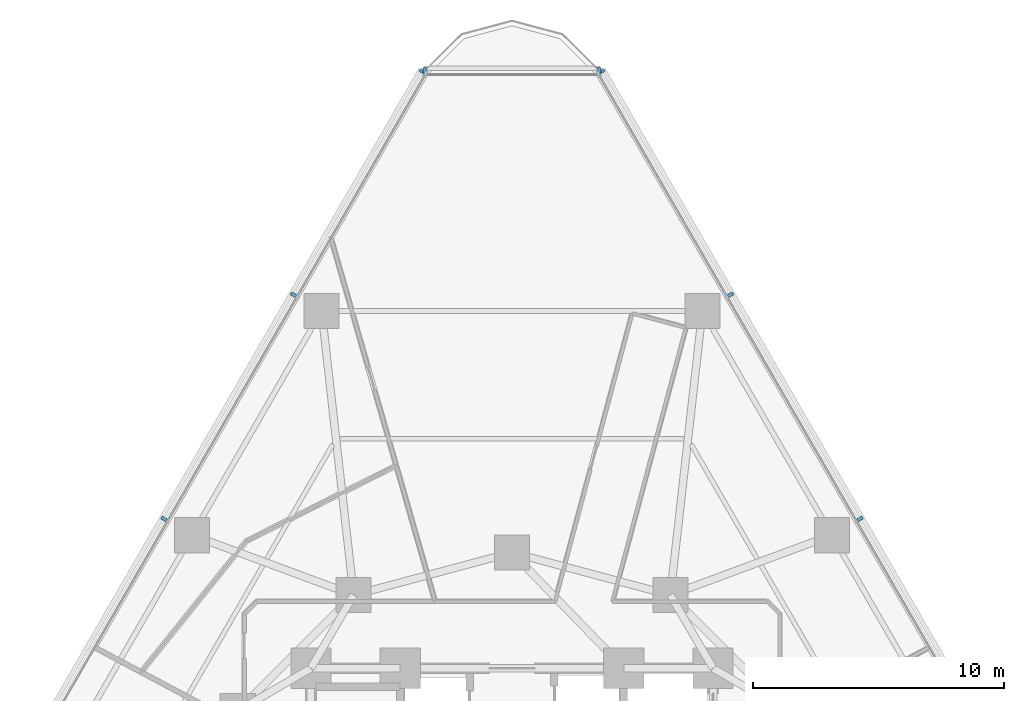
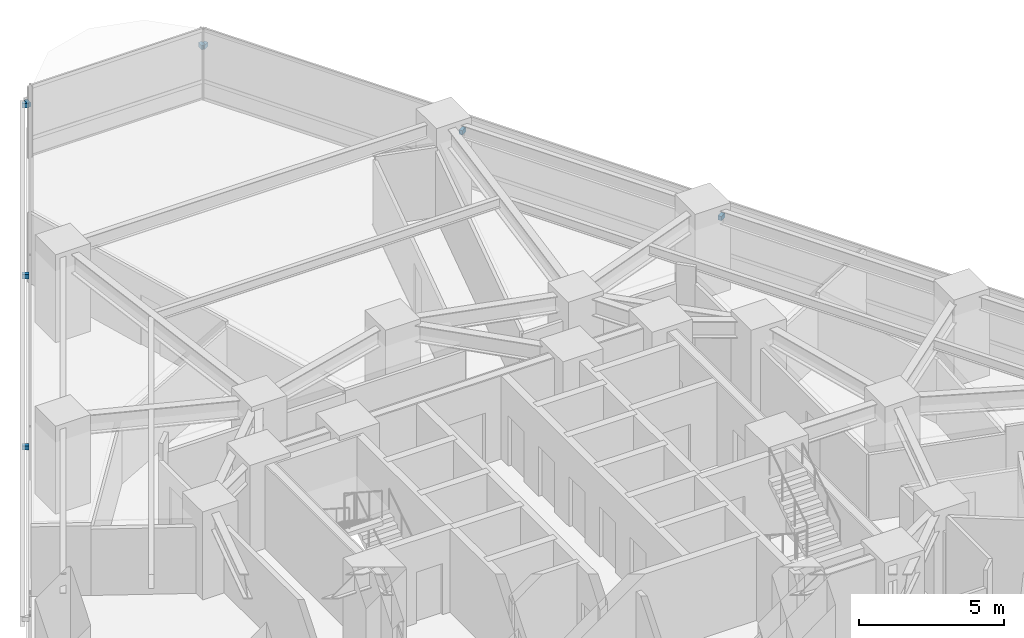
# One storey, part 12 of 16: 8 discrete accessories.
"""IFC4 building model written with IfcOpenShell, lengths in metres."""

from ifc_helpers import new_model, si_unit, direction, frame, origin, origin_2d, place, context, subcontext, project, spatial, rectangle, extrude, material, type_object, element, save


model = new_model("IFC4")

# Units and contexts
model_context = context("Model", 3, precision=1e-05, world=origin(), true_north=direction((0.0, 1.0)))
body_context = subcontext(model_context, "Body", "Model", "MODEL_VIEW")
ifc_project = project(units=[si_unit("LENGTHUNIT", "METRE"), si_unit("AREAUNIT", "SQUARE_METRE"), si_unit("VOLUMEUNIT", "CUBIC_METRE"), si_unit("PLANEANGLEUNIT", "RADIAN"), si_unit("MASSUNIT", "GRAM", prefix="KILO")], contexts=[model_context])

# Site, building, storey
site_placement = place(None, origin())
site = spatial("IfcSite", under=ifc_project, at=site_placement, CompositionType="ELEMENT")
building_placement = place(site_placement, origin())
building = spatial("IfcBuilding", under=site, at=building_placement, Name="Terralouvre Media Tower", CompositionType="ELEMENT")
storey_placement = place(building_placement, frame((0.0, 0.0, 37.10009765625)))
storey = spatial("IfcBuildingStorey", under=building, at=storey_placement, Name="L08", CompositionType="ELEMENT", Elevation=37.10009765625)

# Discrete accessories
ifc_material = material(Name="Anodised extruded aluminium 6063-T6", Category="aluminium")
discrete_accessory_type = type_object("IfcDiscreteAccessoryType", Name="Mullion Stand-Off Baguette Fixing Bracket BK-01", PredefinedType="BRACKET", material=ifc_material)
for number, where, z_axis, x_axis, name in (
    (1, (13.842041015625, 13.9384765625, 2.07373046875), (0.0, 0.0, 1.0), (-0.499999985671, 0.866025412057, 0.0), "CW-L08-F1 Baguette Outrigger Bracket 1.04"),
    (2, (8.692138671875, 22.8583984375, 2.07373046875), (0.0, 0.0, 1.0), (-0.499999985671, 0.866025412057, 0.0), "CW-L08-F1 Baguette Outrigger Bracket 1.05"),
    (3, (3.560791015625, 31.74609375, 2.07373046875), (0.0, 0.0, 1.0), (-0.499999985671, 0.866025412057, 0.0), "CW-L08-F1 Baguette Outrigger Bracket 1.06"),
    (4, (-3.560791015625, 31.74609375, 2.07373046875), (0.0, 0.0, 1.0), (-0.499999985671, -0.866025412057, 0.0), "CW-L08-F2 Baguette Outrigger Bracket 1.01"),
    (5, (-8.692138671875, 22.8583984375, 2.07373046875), (0.0, 0.0, 1.0), (-0.499999985671, -0.866025412057, 0.0), "CW-L08-F2 Baguette Outrigger Bracket 1.02"),
    (6, (-13.842041015625, 13.9384765625, 2.07373046875), (0.0, 0.0, 1.0), (-0.499999985671, -0.866025412057, 0.0), "CW-L08-F2 Baguette Outrigger Bracket 1.03"),
    (7, (3.469970703125, 31.778564453125, 2.07373046875), (0.0, 0.0, 1.0), (-1.0, 0.0, 0.0), "CW-L08-C2 Baguette Outrigger Bracket 1.01"),
    (8, (-3.469970703125, 31.778564453125, 2.07373046875), (0.0, 0.0, 1.0), (-1.0, 0.0, 0.0), "CW-L08-C2 Baguette Outrigger Bracket 1.02"),
):
    element("IfcDiscreteAccessory", number, at=place(storey_placement, frame(where, z_axis=z_axis, x_axis=x_axis)), inside=storey, type_object=discrete_accessory_type, Name=name, PredefinedType="BRACKET", context=body_context, shape_type="SweptSolid", body=[
        extrude(rectangle(XDim=0.139892578125, YDim=0.239990234375, at=origin_2d()), origin(), (0.0, 0.0, 1.0), 0.179931640625),
    ])

save(model, "model.ifc")
